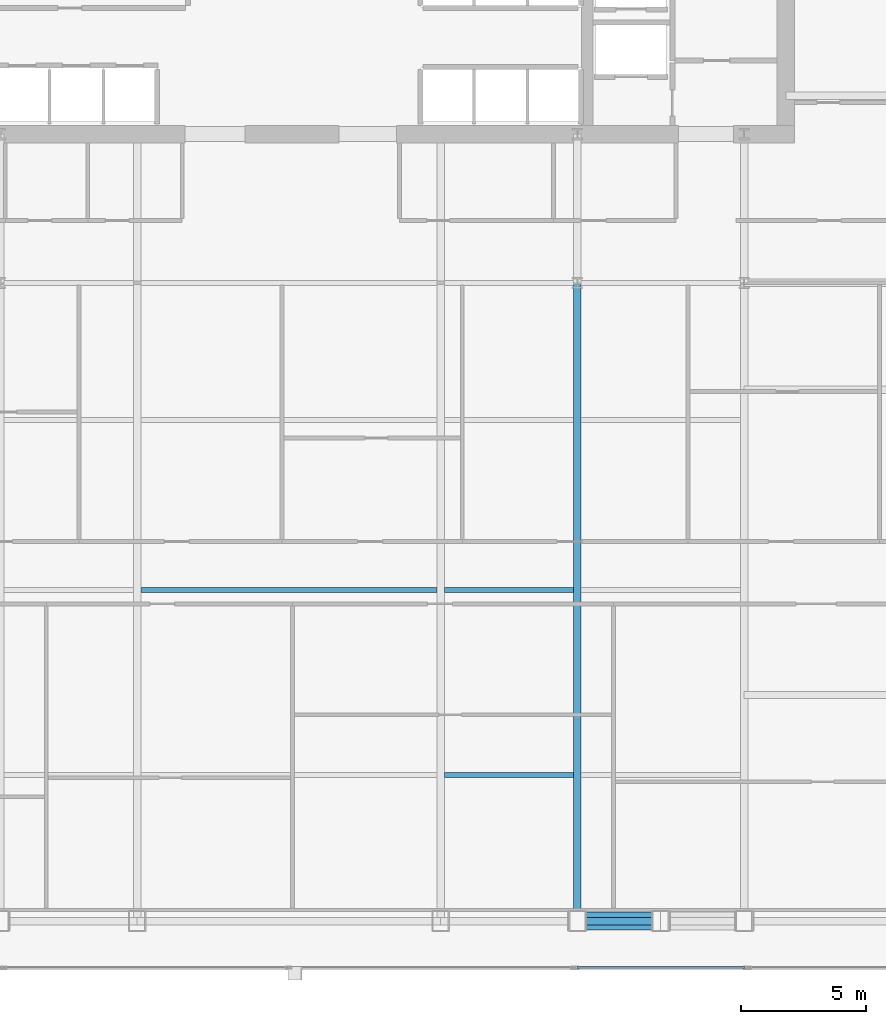
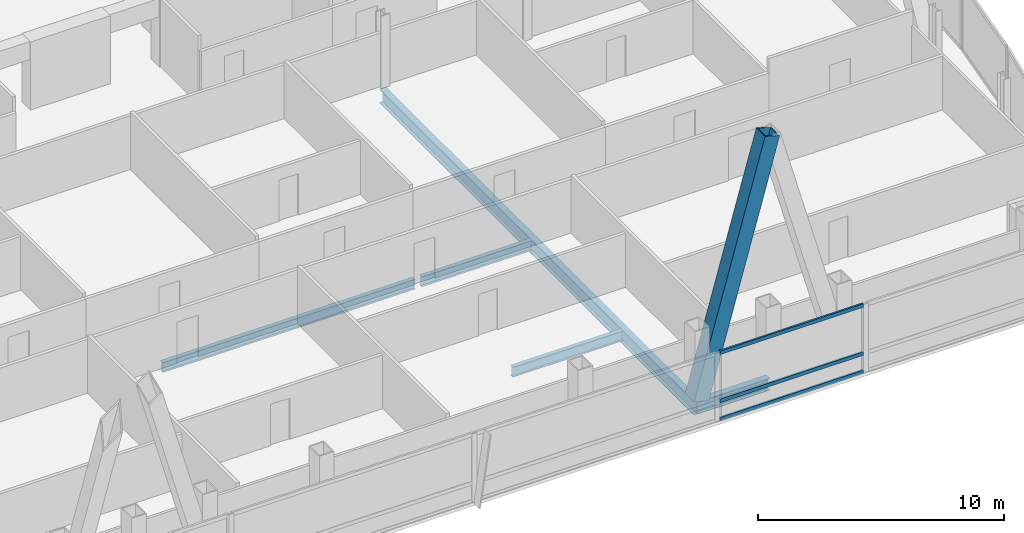
# One storey, part 15 of 31: 5 beams, 4 members, 1 element without a shape of its own.
"""IFC4 building model written with IfcOpenShell, lengths in metres."""

from ifc_helpers import new_model, si_unit, direction, frame, origin, origin_2d, place, context, subcontext, project, spatial, hollow_rectangle, i_section, extrude, material, material_profile, profile_set, type_object, element, aggregate, save


model = new_model("IFC4")

# Units and contexts
model_context = context("Model", 3, precision=1e-05, world=origin(), true_north=direction((0.0, 1.0)))
body_context = subcontext(model_context, "Body", "Model", "MODEL_VIEW")
ifc_project = project(units=[si_unit("LENGTHUNIT", "METRE"), si_unit("AREAUNIT", "SQUARE_METRE"), si_unit("VOLUMEUNIT", "CUBIC_METRE"), si_unit("PLANEANGLEUNIT", "RADIAN"), si_unit("MASSUNIT", "GRAM", prefix="KILO")], contexts=[model_context])

# Site, building, storey
site_placement = place(None, origin())
site = spatial("IfcSite", under=ifc_project, at=site_placement, CompositionType="ELEMENT")
building_placement = place(site_placement, origin())
building = spatial("IfcBuilding", under=site, at=building_placement, Name="Khoronbel Lancet Exchange", CompositionType="ELEMENT")
storey_placement = place(building_placement, frame((0.0, 0.0, 168.60009765625)))
storey = spatial("IfcBuildingStorey", under=building, at=storey_placement, Name="L42", CompositionType="ELEMENT", Elevation=168.60009765625)

# Beams
ifc_material_1 = material(Name="Steel S355", Category="steel")
ifc_material_profile_1 = material_profile(ifc_material_1, i_section(OverallWidth=0.300048828125, OverallDepth=0.699951171875, WebThickness=0.01708984375, FlangeThickness=0.031982421875, at=origin_2d()), Name="HEB 700")
ifc_profile_set_1 = profile_set([ifc_material_profile_1], Name="Steel S355")
beam_type_1 = type_object("IfcBeamType", Name="BM-BG3", PredefinedType="BEAM", material=ifc_profile_set_1)
beam_1_placement = place(storey_placement, frame((48.0, 10.14990234375, -0.510009765625), z_axis=(0.0, 1.0, 0.0), x_axis=(-1.0, 0.0, 0.0)))
element("IfcBeam", 1, at=beam_1_placement, inside=storey, type_object=beam_type_1, Name="Level L42 south primary girder GS5", PredefinedType="BEAM", context=body_context, shape_type="SweptSolid", body=[
    extrude(i_section(OverallWidth=0.300048828125, OverallDepth=0.699951171875, WebThickness=0.01708984375, FlangeThickness=0.031982421875, at=origin_2d()), origin(), (0.0, 0.0, 1.0), 25.550048828125),
])
ifc_material_profile_2 = material_profile(ifc_material_1, i_section(OverallWidth=0.199951171875, OverallDepth=0.5, WebThickness=0.01025390625, FlangeThickness=0.01611328125, at=origin_2d()), Name="IPE 500")
ifc_profile_set_2 = profile_set([ifc_material_profile_2], Name="Steel S355")
beam_type_2 = type_object("IfcBeamType", Name="BM-BJ3", PredefinedType="JOIST", material=ifc_profile_set_2)
beam_2_placement = place(storey_placement, frame((42.675048828125, 16.0, -0.41015625), z_axis=(1.0, 0.0, 0.0), x_axis=(0.0, 1.0, 0.0)))
element("IfcBeam", 2, at=beam_2_placement, inside=storey, type_object=beam_type_2, Name="Level L42 secondary composite joist J04", PredefinedType="JOIST", context=body_context, shape_type="SweptSolid", body=[
    extrude(i_section(OverallWidth=0.199951171875, OverallDepth=0.5, WebThickness=0.01025390625, FlangeThickness=0.01611328125, at=origin_2d()), origin(), (0.0, 0.0, 1.0), 5.175048828125),
])
beam_3_placement = place(storey_placement, frame((30.52490234375, 23.39990234375, -0.41015625), z_axis=(1.0, 0.0, 0.0), x_axis=(0.0, 1.0, 0.0)))
element("IfcBeam", 3, at=beam_3_placement, inside=storey, type_object=beam_type_2, Name="Level L42 secondary composite joist J08", PredefinedType="JOIST", context=body_context, shape_type="SweptSolid", body=[
    extrude(i_section(OverallWidth=0.199951171875, OverallDepth=0.5, WebThickness=0.01025390625, FlangeThickness=0.01611328125, at=origin_2d()), origin(), (0.0, 0.0, 1.0), 11.85009765625),
])
beam_4_placement = place(storey_placement, frame((42.675048828125, 23.39990234375, -0.41015625), z_axis=(1.0, 0.0, 0.0), x_axis=(0.0, 1.0, 0.0)))
element("IfcBeam", 4, at=beam_4_placement, inside=storey, type_object=beam_type_2, Name="Level L42 secondary composite joist J09", PredefinedType="JOIST", context=body_context, shape_type="SweptSolid", body=[
    extrude(i_section(OverallWidth=0.199951171875, OverallDepth=0.5, WebThickness=0.01025390625, FlangeThickness=0.01611328125, at=origin_2d()), origin(), (0.0, 0.0, 1.0), 5.175048828125),
])
ifc_material_profile_3 = material_profile(ifc_material_1, i_section(OverallWidth=0.300048828125, OverallDepth=0.60009765625, WebThickness=0.015380859375, FlangeThickness=0.030029296875, at=origin_2d()), Name="HEB 600")
ifc_profile_set_3 = profile_set([ifc_material_profile_3], Name="Steel S355")
beam_type_3 = type_object("IfcBeamType", Name="BM-BSP2", PredefinedType="SPANDREL", material=ifc_profile_set_3)
beam_5_placement = place(storey_placement, frame((48.0, 10.14990234375, -0.460205078125), z_axis=(1.0, 0.0, 0.0), x_axis=(0.0, 1.0, 0.0)))
element("IfcBeam", 5, at=beam_5_placement, inside=storey, type_object=beam_type_3, Name="Level L42 perimeter spandrel beam SP07", PredefinedType="SPANDREL", context=body_context, shape_type="SweptSolid", body=[
    extrude(i_section(OverallWidth=0.300048828125, OverallDepth=0.60009765625, WebThickness=0.015380859375, FlangeThickness=0.030029296875, at=origin_2d()), origin(), (0.0, 0.0, 1.0), 3.33740234375),
])

# Curtain wall, members
ifc_material_2 = material(Name="Low-E Solar Control Insulating Glass", Category="glass")
curtain_wall_type = type_object("IfcCurtainWallType", Name="CW-3", PredefinedType="NOTDEFINED", material=ifc_material_2)
curtain_wall_placement = place(storey_placement, origin())
curtain_wall = element("IfcCurtainWall", 6, at=curtain_wall_placement, inside=storey, type_object=curtain_wall_type, Name="Unitised curtain wall CW-L42-SEB", PredefinedType="NOTDEFINED")
ifc_material_3 = material(Name="Bronze-Anodised Aluminium 6063-T6", Category="aluminium")
ifc_material_profile_4 = material_profile(ifc_material_3, hollow_rectangle(XDim=0.0849609375, YDim=0.179931640625, WallThickness=0.0048828125, at=origin_2d()), Name="ALU TRANSOM 85x180")
ifc_profile_set_4 = profile_set([ifc_material_profile_4], Name="Bronze-Anodised Aluminium 6063-T6")
member_type_1 = type_object("IfcMemberType", Name="MEM-CWT1", PredefinedType="USERDEFINED", material=ifc_profile_set_4)
member_1_placement = place(storey_placement, frame((47.985107421875, 8.2900390625, 0.04248046875), z_axis=(1.0, 0.0, 0.0), x_axis=(0.0, 1.0, 0.0)))
member_1 = element("IfcMember", 7, at=member_1_placement, type_object=member_type_1, Name="CW3 transom 1.1", ObjectType="TRANSOM", PredefinedType="USERDEFINED", context=body_context, shape_type="SweptSolid", body=[
    extrude(hollow_rectangle(XDim=0.0849609375, YDim=0.179931640625, WallThickness=0.0048828125, at=origin_2d()), origin(), (0.0, 0.0, 1.0), 6.72998046875),
])
member_2_placement = place(storey_placement, frame((47.985107421875, 8.2900390625, 0.949951171875), z_axis=(1.0, 0.0, 0.0), x_axis=(0.0, 1.0, 0.0)))
member_2 = element("IfcMember", 8, at=member_2_placement, type_object=member_type_1, Name="CW3 transom 1.2", ObjectType="TRANSOM", PredefinedType="USERDEFINED", context=body_context, shape_type="SweptSolid", body=[
    extrude(hollow_rectangle(XDim=0.0849609375, YDim=0.179931640625, WallThickness=0.0048828125, at=origin_2d()), origin(), (0.0, 0.0, 1.0), 6.72998046875),
])
member_3_placement = place(storey_placement, frame((47.985107421875, 8.2900390625, 3.33740234375), z_axis=(1.0, 0.0, 0.0), x_axis=(0.0, 1.0, 0.0)))
member_3 = element("IfcMember", 9, at=member_3_placement, type_object=member_type_1, Name="CW3 transom 1.3", ObjectType="TRANSOM", PredefinedType="USERDEFINED", context=body_context, shape_type="SweptSolid", body=[
    extrude(hollow_rectangle(XDim=0.0849609375, YDim=0.179931640625, WallThickness=0.0048828125, at=origin_2d()), origin(), (0.0, 0.0, 1.0), 6.72998046875),
])
aggregate(curtain_wall, [member_1, member_2, member_3])

# Member
ifc_material_4 = material(Name="Steel S460", Category="steel")
ifc_material_profile_5 = material_profile(ifc_material_4, hollow_rectangle(XDim=0.719970703125, YDim=0.719970703125, WallThickness=0.050048828125, at=origin_2d()), Name="BOX 720x720x50")
ifc_profile_set_5 = profile_set([ifc_material_profile_5], Name="Steel S460")
member_type_2 = type_object("IfcMemberType", Name="MEM-MB2", PredefinedType="BRACE", material=ifc_profile_set_5)
member_4_placement = place(storey_placement, frame((48.0, 10.14990234375, 0.0), z_axis=(0.267947134133, 0.0, 0.963433616452), x_axis=(0.0, 1.0, 0.0)))
element("IfcMember", 10, at=member_4_placement, inside=storey, type_object=member_type_2, Name="Perimeter lancet brace tier 14 S-E-L", PredefinedType="BRACE", context=body_context, shape_type="SweptSolid", body=[
    extrude(hollow_rectangle(XDim=0.719970703125, YDim=0.719970703125, WallThickness=0.050048828125, at=origin_2d()), origin(), (0.0, 0.0, 1.0), 12.45556640625),
])

save(model, "model.ifc")
